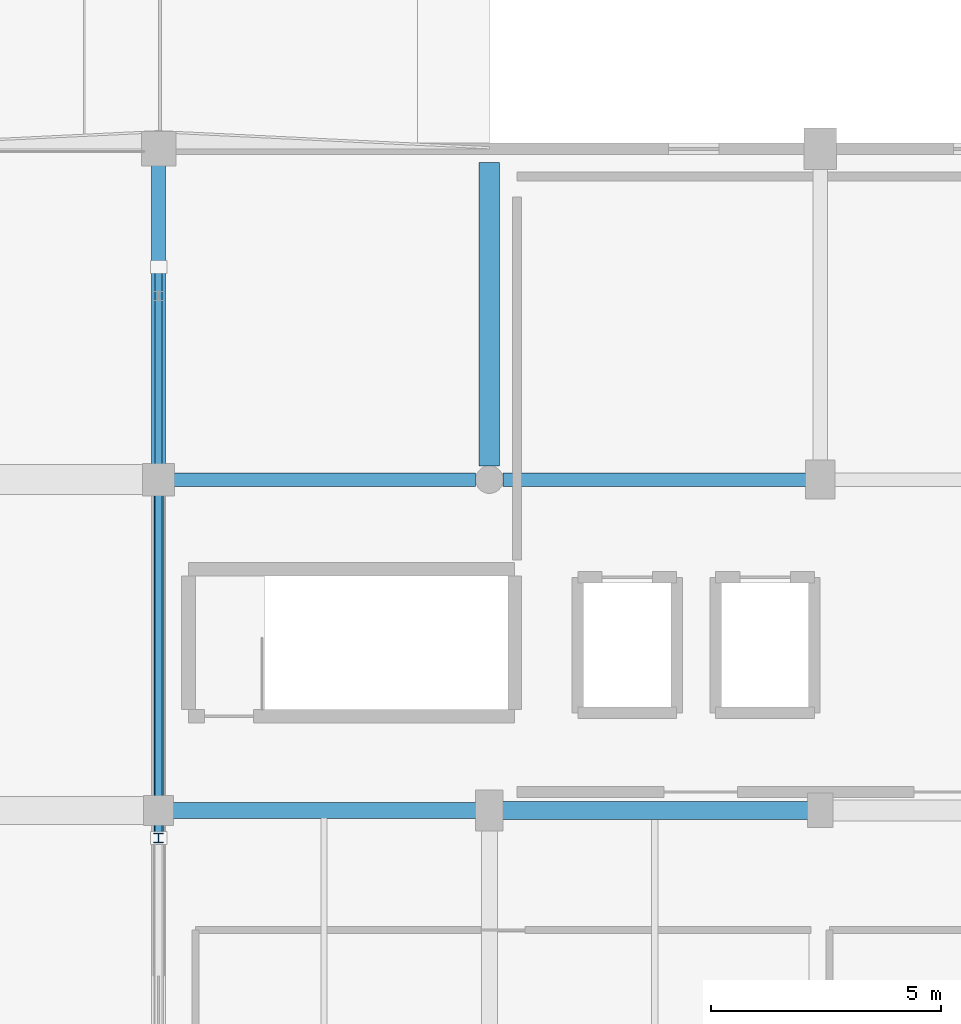
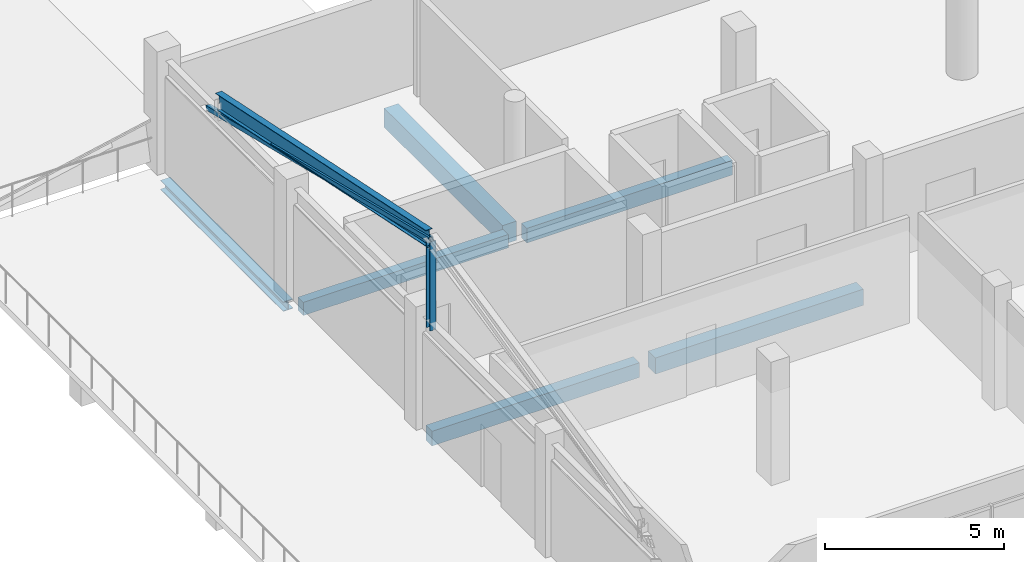
# One storey, part 6 of 41: 7 beams, 2 members.
"""IFC4 building model written with IfcOpenShell, lengths in metres."""

from ifc_helpers import new_model, si_unit, direction, frame, origin, origin_2d, place, context, subcontext, project, spatial, rectangle, hollow_rectangle, i_section, extrude, material, material_profile, profile_set, type_object, element, save


model = new_model("IFC4")

# Units and contexts
model_context = context("Model", 3, precision=1e-05, world=origin(), true_north=direction((0.0, 1.0)))
body_context = subcontext(model_context, "Body", "Model", "MODEL_VIEW")
ifc_project = project(units=[si_unit("LENGTHUNIT", "METRE"), si_unit("AREAUNIT", "SQUARE_METRE"), si_unit("VOLUMEUNIT", "CUBIC_METRE"), si_unit("PLANEANGLEUNIT", "RADIAN"), si_unit("MASSUNIT", "GRAM", prefix="KILO")], contexts=[model_context])

# Site, building, storey
site_placement = place(None, origin())
site = spatial("IfcSite", under=ifc_project, at=site_placement, CompositionType="ELEMENT")
building_placement = place(site_placement, origin())
building = spatial("IfcBuilding", under=site, at=building_placement, Name="Solanera Park Tramway Depot", CompositionType="ELEMENT")
storey_placement = place(building_placement, frame((0.0, 0.0, 13.199951171875)))
storey = spatial("IfcBuildingStorey", under=building, at=storey_placement, Name="L03", CompositionType="ELEMENT", Elevation=13.199951171875)

# Beams
ifc_material_1 = material(Name="Concrete N40 (C40/50)", Category="concrete")
ifc_material_profile_1 = material_profile(ifc_material_1, rectangle(XDim=0.300048828125, YDim=0.449951171875, at=origin_2d()), Name="RCB 300x450")
ifc_profile_set_1 = profile_set([ifc_material_profile_1], Name="Concrete N40 (C40/50)")
beam_type_1 = type_object("IfcBeamType", Name="RC Floor Beam RCB 300x450", PredefinedType="BEAM", material=ifc_profile_set_1)
beam_1_placement = place(storey_placement, frame((115.5, 25.199951171875, -0.553955078125), z_axis=(1.0, 0.0, 0.0), x_axis=(0.0, 1.0, 0.0)))
element("IfcBeam", 1, at=beam_1_placement, inside=storey, type_object=beam_type_1, Name="L03 Primary X-Girder RCB 300x450 #0225", PredefinedType="BEAM", context=body_context, shape_type="SweptSolid", body=[
    extrude(rectangle(XDim=0.300048828125, YDim=0.449951171875, at=origin_2d()), origin(), (0.0, 0.0, 1.0), 6.60009765625),
])
ifc_material_2 = material(Name="Concrete N40 (C40/50)", Category="concrete")
ifc_material_profile_2 = material_profile(ifc_material_2, rectangle(XDim=0.300048828125, YDim=0.5, at=origin_2d()), Name="RCB 300x500")
ifc_profile_set_2 = profile_set([ifc_material_profile_2], Name="Concrete N40 (C40/50)")
beam_type_2 = type_object("IfcBeamType", Name="RC Floor Beam RCB 300x500", PredefinedType="BEAM", material=ifc_profile_set_2)
beam_2_placement = place(storey_placement, frame((122.699951171875, 25.199951171875, -0.578857421875), z_axis=(1.0, 0.0, 0.0), x_axis=(0.0, 1.0, 0.0)))
element("IfcBeam", 2, at=beam_2_placement, inside=storey, type_object=beam_type_2, Name="L03 Primary X-Girder RCB 300x500 #0226", PredefinedType="BEAM", context=body_context, shape_type="SweptSolid", body=[
    extrude(rectangle(XDim=0.300048828125, YDim=0.5, at=origin_2d()), origin(), (0.0, 0.0, 1.0), 6.625),
])
ifc_material_3 = material(Name="Concrete N40 (C40/50)", Category="concrete")
ifc_material_profile_3 = material_profile(ifc_material_3, rectangle(XDim=0.35009765625, YDim=0.5, at=origin_2d()), Name="RCB 350x500")
ifc_profile_set_3 = profile_set([ifc_material_profile_3], Name="Concrete N40 (C40/50)")
beam_type_3 = type_object("IfcBeamType", Name="RC Floor Beam RCB 350x500", PredefinedType="BEAM", material=ifc_profile_set_3)
beam_3_placement = place(storey_placement, frame((115.47509765625, 18.0, -0.578857421875), z_axis=(1.0, 0.0, 0.0), x_axis=(0.0, 1.0, 0.0)))
element("IfcBeam", 3, at=beam_3_placement, inside=storey, type_object=beam_type_3, Name="L03 Primary X-Girder RCB 350x500 #0214", PredefinedType="BEAM", context=body_context, shape_type="SweptSolid", body=[
    extrude(rectangle(XDim=0.35009765625, YDim=0.5, at=origin_2d()), origin(), (0.0, 0.0, 1.0), 6.6748046875),
])
ifc_material_4 = material(Name="Concrete N40 (C40/50)", Category="concrete")
ifc_material_profile_4 = material_profile(ifc_material_4, rectangle(XDim=0.39990234375, YDim=0.550048828125, at=origin_2d()), Name="RCB 400x550")
ifc_profile_set_4 = profile_set([ifc_material_profile_4], Name="Concrete N40 (C40/50)")
beam_type_4 = type_object("IfcBeamType", Name="RC Floor Beam RCB 400x550", PredefinedType="BEAM", material=ifc_profile_set_4)
beam_4_placement = place(storey_placement, frame((122.64990234375, 18.0, -0.60400390625), z_axis=(1.0, 0.0, 0.0), x_axis=(0.0, 1.0, 0.0)))
element("IfcBeam", 4, at=beam_4_placement, inside=storey, type_object=beam_type_4, Name="L03 Primary X-Girder RCB 400x550 #0215", PredefinedType="BEAM", context=body_context, shape_type="SweptSolid", body=[
    extrude(rectangle(XDim=0.39990234375, YDim=0.550048828125, at=origin_2d()), origin(), (0.0, 0.0, 1.0), 6.7001953125),
])
ifc_material_5 = material(Name="Concrete N40 (C40/50)", Category="concrete")
ifc_material_profile_5 = material_profile(ifc_material_5, rectangle(XDim=0.449951171875, YDim=0.64990234375, at=origin_2d()), Name="RCB 450x650")
ifc_profile_set_5 = profile_set([ifc_material_profile_5], Name="Concrete N40 (C40/50)")
beam_type_5 = type_object("IfcBeamType", Name="RC Floor Beam RCB 450x650", PredefinedType="BEAM", material=ifc_profile_set_5)
beam_5_placement = place(storey_placement, frame((122.39990234375, 25.5, -0.654052734375), z_axis=(0.0, 1.0, 0.0), x_axis=(-1.0, 0.0, 0.0)))
element("IfcBeam", 5, at=beam_5_placement, inside=storey, type_object=beam_type_5, Name="L03 Primary Y-Girder RCB 450x650 #0239", PredefinedType="BEAM", context=body_context, shape_type="SweptSolid", body=[
    extrude(rectangle(XDim=0.449951171875, YDim=0.64990234375, at=origin_2d()), origin(), (0.0, 0.0, 1.0), 6.60009765625),
])

# Member
ifc_material_6 = material(Name="Steel AS/NZS 3679.1 Grade 350", Category="steel")
ifc_material_profile_6 = material_profile(ifc_material_6, i_section(OverallWidth=0.205078125, OverallDepth=0.209716796875, WebThickness=0.00927734375, FlangeThickness=0.01416015625, at=origin_2d()), Name="200UC59.5")
ifc_profile_set_6 = profile_set([ifc_material_profile_6], Name="Steel AS/NZS 3679.1 Grade 350")
member_type_1 = type_object("IfcMemberType", Name="Roof Gantry Compression Strut 200UC59.5", PredefinedType="STRUT", material=ifc_profile_set_6)
member_1_placement = place(storey_placement, frame((115.199951171875, 17.39990234375, 3.533447265625), z_axis=(0.0, 0.0, 1.0), x_axis=(1.0, 0.0, 0.0)))
element("IfcMember", 6, at=member_1_placement, inside=storey, type_object=member_type_1, Name="Hip ROOF TRUSS King Post #0127", PredefinedType="STRUT", context=body_context, shape_type="SweptSolid", body=[
    extrude(i_section(OverallWidth=0.205078125, OverallDepth=0.209716796875, WebThickness=0.00927734375, FlangeThickness=0.01416015625, at=origin_2d()), origin(), (0.0, 0.0, 1.0), 3.037109375),
])

# Beams
ifc_material_7 = material(Name="Steel AS/NZS 3679.1 Grade 350", Category="steel")
ifc_material_profile_7 = material_profile(ifc_material_7, i_section(OverallWidth=0.310546875, OverallDepth=0.3271484375, WebThickness=0.015625, FlangeThickness=0.02490234375, at=origin_2d()), Name="310UC158")
ifc_profile_set_7 = profile_set([ifc_material_profile_7], Name="Steel AS/NZS 3679.1 Grade 350")
beam_type_6 = type_object("IfcBeamType", Name="Steel Beam 310UC158", PredefinedType="BEAM", material=ifc_profile_set_7)
beam_6_placement = place(storey_placement, frame((115.199951171875, 25.3798828125, -0.52001953125), z_axis=(0.0, 1.0, 0.0), x_axis=(-1.0, 0.0, 0.0)))
element("IfcBeam", 7, at=beam_6_placement, inside=storey, type_object=beam_type_6, Name="L03 Transfer Truss Backspan Chord 310UC158 #0309", PredefinedType="BEAM", context=body_context, shape_type="SweptSolid", body=[
    extrude(i_section(OverallWidth=0.310546875, OverallDepth=0.3271484375, WebThickness=0.015625, FlangeThickness=0.02490234375, at=origin_2d()), origin(), (0.0, 0.0, 1.0), 6.840087890625),
])
ifc_material_8 = material(Name="Steel AS/NZS 3679.1 Grade 350", Category="steel")
ifc_material_profile_8 = material_profile(ifc_material_8, i_section(OverallWidth=0.209228515625, OverallDepth=0.532958984375, WebThickness=0.01025390625, FlangeThickness=0.015625, at=origin_2d()), Name="530UB92.4")
ifc_profile_set_8 = profile_set([ifc_material_profile_8], Name="Steel AS/NZS 3679.1 Grade 350")
beam_type_7 = type_object("IfcBeamType", Name="Steel Beam 530UB92.4", PredefinedType="BEAM", material=ifc_profile_set_8)
beam_7_placement = place(storey_placement, frame((115.199951171875, 17.4599609375, 6.570556640625), z_axis=(0.0, 0.979009373351, -0.20381522733), x_axis=(-1.0, 0.0, 0.0)))
element("IfcBeam", 8, at=beam_7_placement, inside=storey, type_object=beam_type_7, Name="L03 Hip ROOF TRUSS Rafter 530UB92.4 #1067", PredefinedType="BEAM", context=body_context, shape_type="SweptSolid", body=[
    extrude(i_section(OverallWidth=0.209228515625, OverallDepth=0.532958984375, WebThickness=0.01025390625, FlangeThickness=0.015625, at=origin_2d()), origin(), (0.0, 0.0, 1.0), 11.99169921875),
])

# Member
ifc_material_9 = material(Name="Steel AS/NZS 1163 Grade C350L0", Category="steel")
ifc_material_profile_9 = material_profile(ifc_material_9, hollow_rectangle(XDim=0.14990234375, YDim=0.14990234375, WallThickness=0.006103515625, at=origin_2d()), Name="150x150x6.0 SHS")
ifc_profile_set_9 = profile_set([ifc_material_profile_9], Name="Steel AS/NZS 1163 Grade C350L0")
member_type_2 = type_object("IfcMemberType", Name="Truss and Frame Brace 150x150x6.0 SHS", PredefinedType="BRACE", material=ifc_profile_set_9)
member_2_placement = place(storey_placement, frame((115.199951171875, 29.824951171875, 3.533447265625), z_axis=(0.0, -0.971401256706, 0.237443884885), x_axis=(1.0, 0.0, 0.0)))
element("IfcMember", 9, at=member_2_placement, inside=storey, type_object=member_type_2, Name="Hip ROOF TRUSS Web #0452", PredefinedType="BRACE", context=body_context, shape_type="SweptSolid", body=[
    extrude(hollow_rectangle(XDim=0.14990234375, YDim=0.14990234375, WallThickness=0.006103515625, at=origin_2d()), origin(), (0.0, 0.0, 1.0), 12.790771484375),
])

save(model, "model.ifc")
